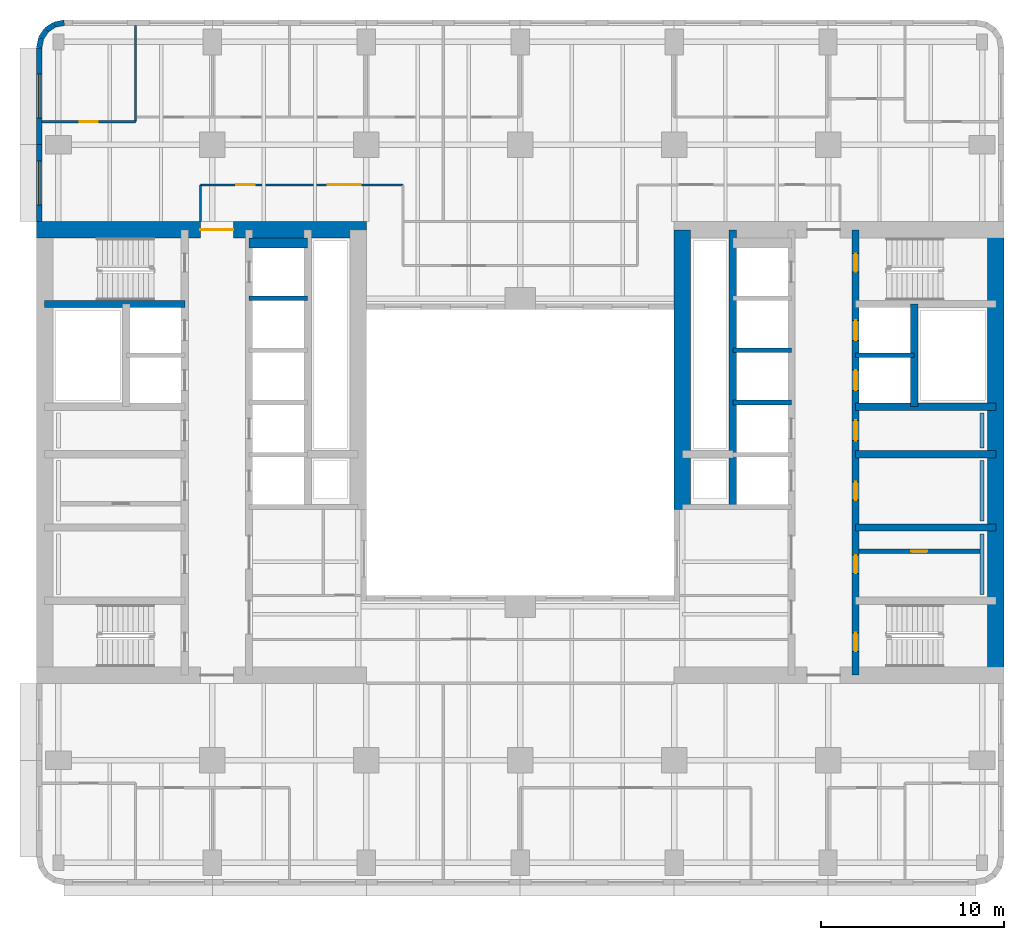
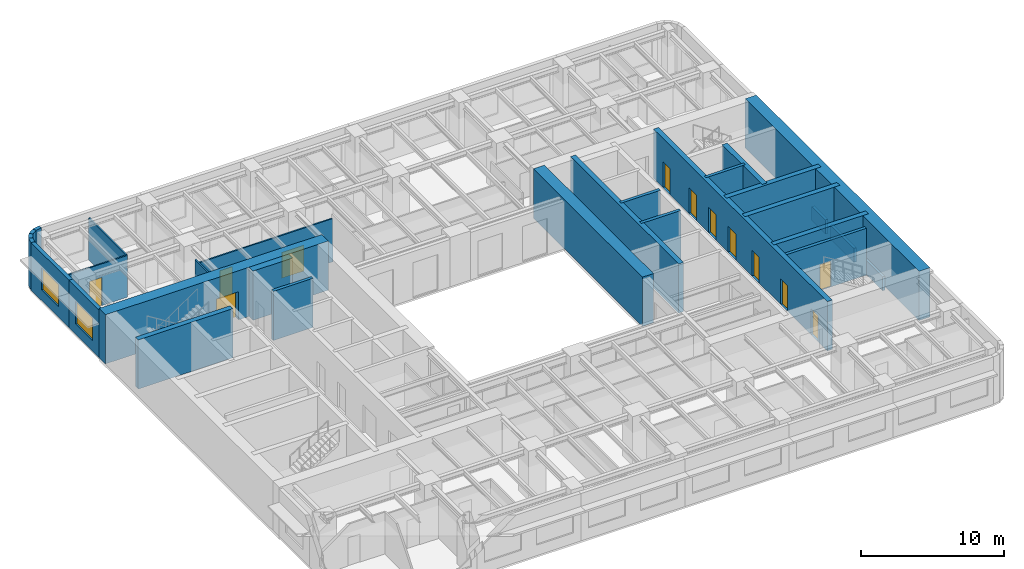
# One storey, part 6 of 11: 29 walls, 12 doors, 2 windows, 14 openings.
"""IFC4 building model written with IfcOpenShell, lengths in metres."""

from ifc_helpers import new_model, si_unit, direction, frame, frame_2d, origin, place, context, subcontext, project, spatial, rectangle, extrude, material, layer, layer_set, type_object, element, fill, save


model = new_model("IFC4")

# Units and contexts
model_context = context("Model", 3, precision=1e-05, world=origin(), true_north=direction((0.0, 1.0)))
body_context = subcontext(model_context, "Body", "Model", "MODEL_VIEW")
ifc_project = project(units=[si_unit("LENGTHUNIT", "METRE"), si_unit("AREAUNIT", "SQUARE_METRE"), si_unit("VOLUMEUNIT", "CUBIC_METRE"), si_unit("PLANEANGLEUNIT", "RADIAN"), si_unit("MASSUNIT", "GRAM", prefix="KILO")], contexts=[model_context])

# Site, building, storey
site_placement = place(None, origin())
site = spatial("IfcSite", under=ifc_project, at=site_placement, CompositionType="ELEMENT")
building_placement = place(site_placement, origin())
building = spatial("IfcBuilding", under=site, at=building_placement, Name="Claustro Exchange Tower", CompositionType="ELEMENT")
storey_placement = place(building_placement, frame((0.0, 0.0, 147.0)))
storey = spatial("IfcBuildingStorey", under=building, at=storey_placement, Name="L33", CompositionType="ELEMENT", Elevation=147.0)

# Wall, opening, door
ifc_material_1 = material(Name="Laminated glass in aluminium frame", Category="aluminium")
ifc_layer_1 = layer(ifc_material_1, 0.1201171875)
ifc_layer_set_1 = layer_set([ifc_layer_1], Name="Laminated glass in aluminium frame")
wall_type_1 = type_object("IfcWallType", Name="P2 120 glazed partition", PredefinedType="PARTITIONING", material=ifc_layer_set_1)
wall_1_placement = place(storey_placement, frame((-0.902099609375, 43.25, 0.0), z_axis=(0.0, 0.0, 1.0), x_axis=(1.0, 0.0, 0.0)))
wall_1 = element("IfcWall", 1, at=wall_1_placement, inside=storey, type_object=wall_type_1, Name="Partition P2 L33", PredefinedType="PARTITIONING", context=body_context, shape_type="SweptSolid", body=[
    extrude(rectangle(XDim=5.10205078125, YDim=0.1201171875, at=frame_2d((2.551025390625, 0.0))), origin(), (0.0, 0.0, 1.0), 3.56005859375),
])
opening_1_placement = place(wall_1_placement, frame((2.052001953125, 0.0, 0.0)))
opening_1 = element("IfcOpeningElement", 2, at=opening_1_placement, cuts=wall_1, Name="Opening D7", PredefinedType="OPENING", context=body_context, shape_type="SweptSolid", body=[
    extrude(rectangle(XDim=1.0, YDim=2.39990234375, at=frame_2d((0.5, 1.199951171875))), frame((0.0, 0.070068359375, 0.0), z_axis=(0.0, -1.0, 0.0), x_axis=(1.0, 0.0, 0.0)), (0.0, 0.0, 1.0), 0.14013671875),
])
ifc_material_2 = material(Name="Glass door in aluminium frame", Category="aluminium")
door_type_1 = type_object("IfcDoorType", Name="D7 1000 x 2400 glazed door", OperationType="SINGLE_SWING_LEFT", PredefinedType="DOOR", material=ifc_material_2)
door_1_placement = place(opening_1_placement, origin())
door_1 = element("IfcDoor", 3, at=door_1_placement, inside=storey, type_object=door_type_1, Name="Door D7 L33", OperationType="SINGLE_SWING_RIGHT", OverallHeight=2.39990234375, OverallWidth=1.0, PredefinedType="DOOR", context=body_context, shape_type="SweptSolid", body=[
    extrude(rectangle(XDim=1.0, YDim=2.39990234375, at=frame_2d((0.5, 1.199951171875))), frame((0.0, 0.02490234375, 0.0), z_axis=(0.0, -1.0, 0.0), x_axis=(1.0, 0.0, 0.0)), (0.0, 0.0, 1.0), 0.050048828125),
])
fill(opening_1, door_1)

# Wall
wall_2_placement = place(storey_placement, frame((4.199951171875, 43.25, 0.0), z_axis=(0.0, 0.0, 1.0), x_axis=(0.0, 1.0, 0.0)))
element("IfcWall", 4, at=wall_2_placement, inside=storey, type_object=wall_type_1, Name="Partition P2 L33", PredefinedType="PARTITIONING", context=body_context, shape_type="SweptSolid", body=[
    extrude(rectangle(XDim=5.251953125, YDim=0.1201171875, at=frame_2d((2.6259765625, 0.0))), origin(), (0.0, 0.0, 1.0), 3.56005859375),
])

# Wall, openings, doors
wall_3_placement = place(storey_placement, frame((7.75, 39.800048828125, 0.0), z_axis=(0.0, 0.0, 1.0), x_axis=(1.0, 0.0, 0.0)))
wall_3 = element("IfcWall", 5, at=wall_3_placement, inside=storey, type_object=wall_type_1, Name="Partition P2 L33", PredefinedType="PARTITIONING", context=body_context, shape_type="SweptSolid", body=[
    extrude(rectangle(XDim=11.050048828125, YDim=0.1201171875, at=frame_2d((5.52490234375, 0.0))), origin(), (0.0, 0.0, 1.0), 3.68994140625),
])
opening_2_placement = place(wall_3_placement, frame((1.949951171875, 0.0, 0.0)))
opening_2 = element("IfcOpeningElement", 6, at=opening_2_placement, cuts=wall_3, Name="Opening D7", PredefinedType="OPENING", context=body_context, shape_type="SweptSolid", body=[
    extrude(rectangle(XDim=1.0, YDim=2.39990234375, at=frame_2d((0.5, 1.199951171875))), frame((0.0, 0.070068359375, 0.0), z_axis=(0.0, -1.0, 0.0), x_axis=(1.0, 0.0, 0.0)), (0.0, 0.0, 1.0), 0.14013671875),
])
opening_3_placement = place(wall_3_placement, frame((6.949951171875, 0.0, 0.0)))
opening_3 = element("IfcOpeningElement", 7, at=opening_3_placement, cuts=wall_3, Name="Opening D2", PredefinedType="OPENING", context=body_context, shape_type="SweptSolid", body=[
    extrude(rectangle(XDim=1.800048828125, YDim=2.199951171875, at=frame_2d((0.89990234375, 1.10009765625))), frame((0.0, 0.070068359375, 0.0), z_axis=(0.0, -1.0, 0.0), x_axis=(1.0, 0.0, 0.0)), (0.0, 0.0, 1.0), 0.14013671875),
])
ifc_material_3 = material(Name="Timber door, oak veneer", Category="wood")
door_type_2 = type_object("IfcDoorType", Name="D2 1800 x 2200 double door", OperationType="DOUBLE_DOOR_SINGLE_SWING", PredefinedType="DOOR", material=ifc_material_3)
door_2_placement = place(opening_3_placement, origin())
door_2 = element("IfcDoor", 8, at=door_2_placement, inside=storey, type_object=door_type_2, Name="Double door D2 L33", OperationType="DOUBLE_DOOR_SINGLE_SWING", OverallHeight=2.199951171875, OverallWidth=1.800048828125, PredefinedType="DOOR", context=body_context, shape_type="SweptSolid", body=[
    extrude(rectangle(XDim=1.800048828125, YDim=2.199951171875, at=frame_2d((0.89990234375, 1.10009765625))), frame((0.0, 0.02490234375, 0.0), z_axis=(0.0, -1.0, 0.0), x_axis=(1.0, 0.0, 0.0)), (0.0, 0.0, 1.0), 0.050048828125),
])
fill(opening_3, door_2)
door_3_placement = place(opening_2_placement, origin())
door_3 = element("IfcDoor", 9, at=door_3_placement, inside=storey, type_object=door_type_1, Name="Door D7 L33", OperationType="SINGLE_SWING_LEFT", OverallHeight=2.39990234375, OverallWidth=1.0, PredefinedType="DOOR", context=body_context, shape_type="SweptSolid", body=[
    extrude(rectangle(XDim=1.0, YDim=2.39990234375, at=frame_2d((0.5, 1.199951171875))), frame((0.0, 0.02490234375, 0.0), z_axis=(0.0, -1.0, 0.0), x_axis=(1.0, 0.0, 0.0)), (0.0, 0.0, 1.0), 0.050048828125),
])
fill(opening_2, door_3)

# Wall
wall_4_placement = place(storey_placement, frame((7.75, 37.800048828125, 0.0), z_axis=(0.0, 0.0, 1.0), x_axis=(0.0, 1.0, 0.0)))
element("IfcWall", 10, at=wall_4_placement, inside=storey, type_object=wall_type_1, Name="Partition P2 L33", PredefinedType="PARTITIONING", context=body_context, shape_type="SweptSolid", body=[
    extrude(rectangle(XDim=2.0, YDim=0.1201171875, at=frame_2d((1.0, 0.0))), origin(), (0.0, 0.0, 1.0), 4.050048828125),
])

# Wall, opening, door
ifc_material_4 = material(Name="Concrete blockwork, rendered", Category="masonry")
ifc_layer_2 = layer(ifc_material_4, 0.25)
ifc_layer_set_2 = layer_set([ifc_layer_2], Name="Concrete blockwork, rendered")
wall_type_2 = type_object("IfcWallType", Name="P4 250 blockwork wall", PredefinedType="PARTITIONING", material=ifc_layer_set_2)
wall_5_placement = place(storey_placement, frame((43.699951171875, 19.800048828125, 0.0), z_axis=(0.0, 0.0, 1.0), x_axis=(1.0, 0.0, 0.0)))
wall_5 = element("IfcWall", 11, at=wall_5_placement, inside=storey, type_object=wall_type_2, Name="Partition P4 L33", PredefinedType="PARTITIONING", context=body_context, shape_type="SweptSolid", body=[
    extrude(rectangle(XDim=6.60009765625, YDim=0.25, at=frame_2d((3.300048828125, 0.0))), origin(), (0.0, 0.0, 1.0), 4.0),
])
opening_4_placement = place(wall_5_placement, frame((2.824951171875, 0.0, 0.0)))
opening_4 = element("IfcOpeningElement", 12, at=opening_4_placement, cuts=wall_5, Name="Opening D5", PredefinedType="OPENING", context=body_context, shape_type="SweptSolid", body=[
    extrude(rectangle(XDim=0.89990234375, YDim=2.199951171875, at=frame_2d((0.449951171875, 1.10009765625))), frame((0.0, 0.135009765625, 0.0), z_axis=(0.0, -1.0, 0.0), x_axis=(1.0, 0.0, 0.0)), (0.0, 0.0, 1.0), 0.27001953125),
])
ifc_material_5 = material(Name="Steel door, painted", Category="steel")
door_type_3 = type_object("IfcDoorType", Name="D5 900 x 2200 store door", OperationType="SINGLE_SWING_LEFT", PredefinedType="DOOR", material=ifc_material_5)
door_4_placement = place(opening_4_placement, origin())
door_4 = element("IfcDoor", 13, at=door_4_placement, inside=storey, type_object=door_type_3, Name="Store door D5 L33", OperationType="SINGLE_SWING_RIGHT", OverallHeight=2.199951171875, OverallWidth=0.89990234375, PredefinedType="DOOR", context=body_context, shape_type="SweptSolid", body=[
    extrude(rectangle(XDim=0.89990234375, YDim=2.199951171875, at=frame_2d((0.449951171875, 1.10009765625))), frame((0.0, 0.02490234375, 0.0), z_axis=(0.0, -1.0, 0.0), x_axis=(1.0, 0.0, 0.0)), (0.0, 0.0, 1.0), 0.050048828125),
])
fill(opening_4, door_4)

# Wall, opening, window
ifc_material_6 = material(Name="Concrete HA-40 (C40/50), precast, white cement, acid-etched", Category="concrete")
ifc_layer_3 = layer(ifc_material_6, 0.300048828125)
ifc_layer_set_3 = layer_set([ifc_layer_3], Name="Concrete HA-40 (C40/50), precast, white cement, acid-etched")
wall_type_3 = type_object("IfcWallType", Name="PC1 300 precast concrete pier panel", PredefinedType="SOLIDWALL", material=ifc_layer_set_3)
wall_6_placement = place(storey_placement, frame((-1.050048828125, 37.800048828125, 0.0), z_axis=(0.0, 0.0, 1.0), x_axis=(0.0, 1.0, 0.0)))
wall_6 = element("IfcWall", 14, at=wall_6_placement, inside=storey, type_object=wall_type_3, Name="Precast pier panel PC1 L33", PredefinedType="SOLIDWALL", context=body_context, shape_type="SweptSolid", body=[
    extrude(rectangle(XDim=4.199951171875, YDim=0.300048828125, at=frame_2d((2.10009765625, 0.0))), origin(), (0.0, 0.0, 1.0), 4.050048828125),
])
opening_5_placement = place(wall_6_placement, frame((0.89990234375, 0.0, 0.89990234375)))
opening_5 = element("IfcOpeningElement", 15, at=opening_5_placement, cuts=wall_6, Name="Opening W2", PredefinedType="OPENING", context=body_context, shape_type="SweptSolid", body=[
    extrude(rectangle(XDim=2.39990234375, YDim=1.89990234375, at=frame_2d((1.199951171875, 0.949951171875))), frame((0.0, 0.159912109375, 0.0), z_axis=(0.0, -1.0, 0.0), x_axis=(1.0, 0.0, 0.0)), (0.0, 0.0, 1.0), 0.320068359375),
])
ifc_material_7 = material(Name="Aluminium frame, clear double glazing", Category="aluminium")
window_type = type_object("IfcWindowType", Name="W2 2400 x 1900 window", PartitioningType="SINGLE_PANEL", PredefinedType="WINDOW", material=ifc_material_7)
window_1_placement = place(opening_5_placement, origin())
window_1 = element("IfcWindow", 16, at=window_1_placement, inside=storey, type_object=window_type, Name="Window W2 L33", OverallHeight=1.89990234375, OverallWidth=2.39990234375, PartitioningType="SINGLE_PANEL", PredefinedType="WINDOW", context=body_context, shape_type="SweptSolid", body=[
    extrude(rectangle(XDim=2.39990234375, YDim=1.89990234375, at=frame_2d((1.199951171875, 0.949951171875))), frame((0.0, 0.030029296875, 0.0), z_axis=(0.0, -1.0, 0.0), x_axis=(1.0, 0.0, 0.0)), (0.0, 0.0, 1.0), 0.06005859375),
])
fill(opening_5, window_1)

wall_7_placement = place(storey_placement, frame((-1.050048828125, 42.0, 0.0), z_axis=(0.0, 0.0, 1.0), x_axis=(0.0, 1.0, 0.0)))
wall_7 = element("IfcWall", 17, at=wall_7_placement, inside=storey, type_object=wall_type_3, Name="Precast pier panel PC1 L33", PredefinedType="SOLIDWALL", context=body_context, shape_type="SweptSolid", body=[
    extrude(rectangle(XDim=5.28515625, YDim=0.300048828125, at=frame_2d((2.642578125, 0.0))), origin(), (0.0, 0.0, 1.0), 4.050048828125),
])
opening_6_placement = place(wall_7_placement, frame((1.442626953125, 0.0, 0.89990234375)))
opening_6 = element("IfcOpeningElement", 18, at=opening_6_placement, cuts=wall_7, Name="Opening W2", PredefinedType="OPENING", context=body_context, shape_type="SweptSolid", body=[
    extrude(rectangle(XDim=2.39990234375, YDim=1.89990234375, at=frame_2d((1.199951171875, 0.949951171875))), frame((0.0, 0.159912109375, 0.0), z_axis=(0.0, -1.0, 0.0), x_axis=(1.0, 0.0, 0.0)), (0.0, 0.0, 1.0), 0.320068359375),
])
window_2_placement = place(opening_6_placement, origin())
window_2 = element("IfcWindow", 19, at=window_2_placement, inside=storey, type_object=window_type, Name="Window W2 L33", OverallHeight=1.89990234375, OverallWidth=2.39990234375, PartitioningType="SINGLE_PANEL", PredefinedType="WINDOW", context=body_context, shape_type="SweptSolid", body=[
    extrude(rectangle(XDim=2.39990234375, YDim=1.89990234375, at=frame_2d((1.199951171875, 0.949951171875))), frame((0.0, 0.030029296875, 0.0), z_axis=(0.0, -1.0, 0.0), x_axis=(1.0, 0.0, 0.0)), (0.0, 0.0, 1.0), 0.06005859375),
])
fill(opening_6, window_2)

# Walls
wall_8_placement = place(storey_placement, frame((-1.050048828125, 47.28515625, 0.0), z_axis=(0.0, 0.0, 1.0), x_axis=(0.195073962632, 0.980788534345, 0.0)))
element("IfcWall", 20, at=wall_8_placement, inside=storey, type_object=wall_type_3, Name="Precast pier panel PC1 L33", PredefinedType="SOLIDWALL", context=body_context, shape_type="SweptSolid", body=[
    extrude(rectangle(XDim=0.540771484375, YDim=0.300048828125, at=frame_2d((0.2705078125, 0.0))), origin(), (0.0, 0.0, 1.0), 4.050048828125),
])
wall_9_placement = place(storey_placement, frame((-0.944580078125, 47.8154296875, 0.0), z_axis=(0.0, 0.0, 1.0), x_axis=(0.55534295404, 0.831621430339, 0.0)))
element("IfcWall", 21, at=wall_9_placement, inside=storey, type_object=wall_type_3, Name="Precast pier panel PC1 L33", PredefinedType="SOLIDWALL", context=body_context, shape_type="SweptSolid", body=[
    extrude(rectangle(XDim=0.52587890625, YDim=0.300048828125, at=frame_2d((0.262939453125, 0.0))), origin(), (0.0, 0.0, 1.0), 4.050048828125),
])
wall_10_placement = place(storey_placement, frame((-0.652587890625, 48.252685546875, 0.0), z_axis=(0.0, 0.0, 1.0), x_axis=(0.831692711774, 0.555236195849, 0.0)))
element("IfcWall", 22, at=wall_10_placement, inside=storey, type_object=wall_type_3, Name="Precast pier panel PC1 L33", PredefinedType="SOLIDWALL", context=body_context, shape_type="SweptSolid", body=[
    extrude(rectangle(XDim=0.525390625, YDim=0.300048828125, at=frame_2d((0.2626953125, 0.0))), origin(), (0.0, 0.0, 1.0), 4.050048828125),
])
wall_11_placement = place(storey_placement, frame((-0.215576171875, 48.54443359375, 0.0), z_axis=(0.0, 0.0, 1.0), x_axis=(0.980788534345, 0.195073962632, 0.0)))
element("IfcWall", 23, at=wall_11_placement, inside=storey, type_object=wall_type_3, Name="Precast pier panel PC1 L33", PredefinedType="SOLIDWALL", context=body_context, shape_type="SweptSolid", body=[
    extrude(rectangle(XDim=0.540771484375, YDim=0.300048828125, at=frame_2d((0.2705078125, 0.0))), origin(), (0.0, 0.0, 1.0), 4.050048828125),
])
ifc_material_8 = material(Name="Gypsum board on steel studs, tiled", Category="steel")
ifc_layer_4 = layer(ifc_material_8, 0.199951171875)
ifc_layer_set_4 = layer_set([ifc_layer_4], Name="Gypsum board on steel studs, tiled")
wall_type_4 = type_object("IfcWallType", Name="PW1 200 WC duct wall", PredefinedType="PLUMBINGWALL", material=ifc_layer_set_4)
for number, where, z_axis, x_axis, name in (
    (24, (50.39990234375, 17.449951171875, 0.0), (0.0, 0.0, 1.0), (0.0, 1.0, 0.0), "WC duct wall PW1 L33"),
    (25, (50.39990234375, 21.449951171875, 0.0), (0.0, 0.0, 1.0), (0.0, 1.0, 0.0), "WC duct wall PW1 L33"),
):
    element("IfcWall", number, at=place(storey_placement, frame(where, z_axis=z_axis, x_axis=x_axis)), inside=storey, type_object=wall_type_4, Name=name, PredefinedType="PLUMBINGWALL", context=body_context, shape_type="SweptSolid", body=[
        extrude(rectangle(XDim=3.300048828125, YDim=0.199951171875, at=frame_2d((1.64990234375, 0.0))), origin(), (0.0, 0.0, 1.0), 1.199951171875),
    ])
wall_12_placement = place(storey_placement, frame((50.39990234375, 25.449951171875, 0.0), z_axis=(0.0, 0.0, 1.0), x_axis=(0.0, 1.0, 0.0)))
element("IfcWall", 26, at=wall_12_placement, inside=storey, type_object=wall_type_4, Name="WC duct wall PW1 L33", PredefinedType="PLUMBINGWALL", context=body_context, shape_type="SweptSolid", body=[
    extrude(rectangle(XDim=1.900146484375, YDim=0.199951171875, at=frame_2d((0.9501953125, 0.0))), origin(), (0.0, 0.0, 1.0), 1.199951171875),
])

# Wall, opening, door
ifc_material_9 = material(Name="Concrete HA-70 (C70/85)", Category="concrete")
ifc_layer_5 = layer(ifc_material_9, 0.89990234375)
ifc_layer_set_5 = layer_set([ifc_layer_5], Name="Concrete HA-70 (C70/85)")
wall_type_5 = type_object("IfcWallType", Name="SW1 900 core shear wall", PredefinedType="SHEAR", material=ifc_layer_set_5)
wall_13_placement = place(storey_placement, frame((-1.199951171875, 37.35009765625, 0.0), z_axis=(0.0, 0.0, 1.0), x_axis=(1.0, 0.0, 0.0)))
wall_13 = element("IfcWall", 27, at=wall_13_placement, inside=storey, type_object=wall_type_5, Name="Core wall SW1 W core N face L33", PredefinedType="SHEAR", context=body_context, shape_type="SweptSolid", body=[
    extrude(rectangle(XDim=18.0, YDim=0.89990234375, at=frame_2d((9.0, 0.0))), origin(), (0.0, 0.0, 1.0), 4.199951171875),
])
opening_7_placement = place(wall_13_placement, frame((8.949951171875, 0.0, 0.0)))
opening_7 = element("IfcOpeningElement", 28, at=opening_7_placement, cuts=wall_13, Name="Opening D3", PredefinedType="OPENING", context=body_context, shape_type="SweptSolid", body=[
    extrude(rectangle(XDim=1.800048828125, YDim=2.39990234375, at=frame_2d((0.89990234375, 1.199951171875))), frame((0.0, 0.4599609375, 0.0), z_axis=(0.0, -1.0, 0.0), x_axis=(1.0, 0.0, 0.0)), (0.0, 0.0, 1.0), 0.919921875),
])
ifc_material_10 = material(Name="Steel fire door, painted", Category="steel")
door_type_4 = type_object("IfcDoorType", Name="D3 1800 x 2400 fire-rated lobby double door", OperationType="DOUBLE_DOOR_SINGLE_SWING", PredefinedType="DOOR", material=ifc_material_10)
door_5_placement = place(opening_7_placement, frame((1.800048828125, 0.0, 0.0), z_axis=(0.0, 0.0, 1.0), x_axis=(-1.0, 0.0, 0.0)))
door_5 = element("IfcDoor", 29, at=door_5_placement, inside=storey, type_object=door_type_4, Name="Lift lobby door D3 L33", OperationType="DOUBLE_DOOR_SINGLE_SWING", OverallHeight=2.39990234375, OverallWidth=1.800048828125, PredefinedType="DOOR", context=body_context, shape_type="SweptSolid", body=[
    extrude(rectangle(XDim=1.800048828125, YDim=2.39990234375, at=frame_2d((0.89990234375, 1.199951171875))), frame((0.0, 0.02490234375, 0.0), z_axis=(0.0, -1.0, 0.0), x_axis=(1.0, 0.0, 0.0)), (0.0, 0.0, 1.0), 0.050048828125),
])
fill(opening_7, door_5)

# Walls
ifc_material_11 = material(Name="Concrete HA-70 (C70/85)", Category="concrete")
ifc_layer_6 = layer(ifc_material_11, 0.89990234375)
ifc_layer_set_6 = layer_set([ifc_layer_6], Name="Concrete HA-70 (C70/85)")
wall_type_6 = type_object("IfcWallType", Name="SW1X 900 exposed core shear wall, board-marked face", PredefinedType="SHEAR", material=ifc_layer_set_6)
wall_14_placement = place(storey_placement, frame((34.050048828125, 22.10009765625, 0.0), z_axis=(0.0, 0.0, 1.0), x_axis=(0.0, 1.0, 0.0)))
element("IfcWall", 30, at=wall_14_placement, inside=storey, type_object=wall_type_6, Name="Core wall SW1X E core W face L33", PredefinedType="SHEAR", context=body_context, shape_type="SweptSolid", body=[
    extrude(rectangle(XDim=15.25, YDim=0.89990234375, at=frame_2d((7.625, 0.0))), origin(), (0.0, 0.0, 1.0), 4.199951171875),
])
wall_15_placement = place(storey_placement, frame((51.14990234375, 13.050048828125, 0.0), z_axis=(0.0, 0.0, 1.0), x_axis=(0.0, 1.0, 0.0)))
element("IfcWall", 31, at=wall_15_placement, inside=storey, type_object=wall_type_6, Name="Core wall SW1X E core E face L33", PredefinedType="SHEAR", context=body_context, shape_type="SweptSolid", body=[
    extrude(rectangle(XDim=24.300048828125, YDim=0.89990234375, at=frame_2d((12.14990234375, 0.0))), origin(), (0.0, 0.0, 1.0), 4.199951171875),
])
ifc_material_12 = material(Name="Concrete HA-50 (C50/60)", Category="concrete")
ifc_layer_7 = layer(ifc_material_12, 0.39990234375)
ifc_layer_set_7 = layer_set([ifc_layer_7], Name="Concrete HA-50 (C50/60)")
wall_type_7 = type_object("IfcWallType", Name="SW4 400 internal core wall", PredefinedType="SHEAR", material=ifc_layer_set_7)
wall_16_placement = place(storey_placement, frame((-0.75, 33.300048828125, 0.0), z_axis=(0.0, 0.0, 1.0), x_axis=(1.0, 0.0, 0.0)))
element("IfcWall", 32, at=wall_16_placement, inside=storey, type_object=wall_type_7, Name="Internal core wall SW4 W core L33", PredefinedType="SHEAR", context=body_context, shape_type="SweptSolid", body=[
    extrude(rectangle(XDim=7.64990234375, YDim=0.39990234375, at=frame_2d((3.824951171875, 0.0))), origin(), (0.0, 0.0, 1.0), 4.199951171875),
])

# Wall, openings, doors
wall_17_placement = place(storey_placement, frame((43.5, 13.050048828125, 0.0), z_axis=(0.0, 0.0, 1.0), x_axis=(0.0, 1.0, 0.0)))
wall_17 = element("IfcWall", 33, at=wall_17_placement, inside=storey, type_object=wall_type_7, Name="Internal core wall SW4 E core L33", PredefinedType="SHEAR", context=body_context, shape_type="SweptSolid", body=[
    extrude(rectangle(XDim=24.300048828125, YDim=0.39990234375, at=frame_2d((12.14990234375, 0.0))), origin(), (0.0, 0.0, 1.0), 4.199951171875),
])
opening_8_placement = place(wall_17_placement, frame((1.300048828125, 0.0, 0.0)))
opening_8 = element("IfcOpeningElement", 34, at=opening_8_placement, cuts=wall_17, Name="Opening D4", PredefinedType="OPENING", context=body_context, shape_type="SweptSolid", body=[
    extrude(rectangle(XDim=1.0, YDim=2.199951171875, at=frame_2d((0.5, 1.10009765625))), frame((0.0, 0.2099609375, 0.0), z_axis=(0.0, -1.0, 0.0), x_axis=(1.0, 0.0, 0.0)), (0.0, 0.0, 1.0), 0.419921875),
])
opening_9_placement = place(wall_17_placement, frame((22.0, 0.0, 0.0)))
opening_9 = element("IfcOpeningElement", 35, at=opening_9_placement, cuts=wall_17, Name="Opening D4", PredefinedType="OPENING", context=body_context, shape_type="SweptSolid", body=[
    extrude(rectangle(XDim=1.0, YDim=2.199951171875, at=frame_2d((0.5, 1.10009765625))), frame((0.0, 0.2099609375, 0.0), z_axis=(0.0, -1.0, 0.0), x_axis=(1.0, 0.0, 0.0)), (0.0, 0.0, 1.0), 0.419921875),
])
opening_10_placement = place(wall_17_placement, frame((5.550048828125, 0.0, 0.0)))
opening_10 = element("IfcOpeningElement", 36, at=opening_10_placement, cuts=wall_17, Name="Opening D1", PredefinedType="OPENING", context=body_context, shape_type="SweptSolid", body=[
    extrude(rectangle(XDim=1.0, YDim=2.199951171875, at=frame_2d((0.5, 1.10009765625))), frame((0.0, 0.2099609375, 0.0), z_axis=(0.0, -1.0, 0.0), x_axis=(1.0, 0.0, 0.0)), (0.0, 0.0, 1.0), 0.419921875),
])
opening_11_placement = place(wall_17_placement, frame((9.550048828125, 0.0, 0.0)))
opening_11 = element("IfcOpeningElement", 37, at=opening_11_placement, cuts=wall_17, Name="Opening D1", PredefinedType="OPENING", context=body_context, shape_type="SweptSolid", body=[
    extrude(rectangle(XDim=1.0, YDim=2.199951171875, at=frame_2d((0.5, 1.10009765625))), frame((0.0, 0.2099609375, 0.0), z_axis=(0.0, -1.0, 0.0), x_axis=(1.0, 0.0, 0.0)), (0.0, 0.0, 1.0), 0.419921875),
])
opening_12_placement = place(wall_17_placement, frame((12.800048828125, 0.0, 0.0)))
opening_12 = element("IfcOpeningElement", 38, at=opening_12_placement, cuts=wall_17, Name="Opening D10", PredefinedType="OPENING", context=body_context, shape_type="SweptSolid", body=[
    extrude(rectangle(XDim=1.10009765625, YDim=2.199951171875, at=frame_2d((0.550048828125, 1.10009765625))), frame((0.0, 0.2099609375, 0.0), z_axis=(0.0, -1.0, 0.0), x_axis=(1.0, 0.0, 0.0)), (0.0, 0.0, 1.0), 0.419921875),
])
opening_13_placement = place(wall_17_placement, frame((15.53759765625, 0.0, 0.0)))
opening_13 = element("IfcOpeningElement", 39, at=opening_13_placement, cuts=wall_17, Name="Opening LD", PredefinedType="OPENING", context=body_context, shape_type="SweptSolid", body=[
    extrude(rectangle(XDim=1.10009765625, YDim=2.199951171875, at=frame_2d((0.550048828125, 1.10009765625))), frame((0.0, 0.2099609375, 0.0), z_axis=(0.0, -1.0, 0.0), x_axis=(1.0, 0.0, 0.0)), (0.0, 0.0, 1.0), 0.419921875),
])
opening_14_placement = place(wall_17_placement, frame((18.262451171875, 0.0, 0.0)))
opening_14 = element("IfcOpeningElement", 40, at=opening_14_placement, cuts=wall_17, Name="Opening LD", PredefinedType="OPENING", context=body_context, shape_type="SweptSolid", body=[
    extrude(rectangle(XDim=1.10009765625, YDim=2.199951171875, at=frame_2d((0.550048828125, 1.10009765625))), frame((0.0, 0.2099609375, 0.0), z_axis=(0.0, -1.0, 0.0), x_axis=(1.0, 0.0, 0.0)), (0.0, 0.0, 1.0), 0.419921875),
])
ifc_material_13 = material(Name="Timber door, oak veneer", Category="wood")
door_type_5 = type_object("IfcDoorType", Name="D1 1000 x 2200 single door", OperationType="SINGLE_SWING_LEFT", PredefinedType="DOOR", material=ifc_material_13)
door_6_placement = place(opening_10_placement, frame((1.0, 0.0, 0.0), z_axis=(0.0, 0.0, 1.0), x_axis=(-1.0, 0.0, 0.0)))
door_6 = element("IfcDoor", 41, at=door_6_placement, inside=storey, type_object=door_type_5, Name="Door D1 L33", OperationType="SINGLE_SWING_LEFT", OverallHeight=2.199951171875, OverallWidth=1.0, PredefinedType="DOOR", context=body_context, shape_type="SweptSolid", body=[
    extrude(rectangle(XDim=1.0, YDim=2.199951171875, at=frame_2d((0.5, 1.10009765625))), frame((0.0, 0.02490234375, 0.0), z_axis=(0.0, -1.0, 0.0), x_axis=(1.0, 0.0, 0.0)), (0.0, 0.0, 1.0), 0.050048828125),
])
fill(opening_10, door_6)
door_7_placement = place(opening_11_placement, frame((1.0, 0.0, 0.0), z_axis=(0.0, 0.0, 1.0), x_axis=(-1.0, 0.0, 0.0)))
door_7 = element("IfcDoor", 42, at=door_7_placement, inside=storey, type_object=door_type_5, Name="Door D1 L33", OperationType="SINGLE_SWING_LEFT", OverallHeight=2.199951171875, OverallWidth=1.0, PredefinedType="DOOR", context=body_context, shape_type="SweptSolid", body=[
    extrude(rectangle(XDim=1.0, YDim=2.199951171875, at=frame_2d((0.5, 1.10009765625))), frame((0.0, 0.02490234375, 0.0), z_axis=(0.0, -1.0, 0.0), x_axis=(1.0, 0.0, 0.0)), (0.0, 0.0, 1.0), 0.050048828125),
])
fill(opening_11, door_7)
ifc_material_14 = material(Name="Timber door, oak veneer", Category="wood")
door_type_6 = type_object("IfcDoorType", Name="D10 1100 x 2200 accessible WC door", OperationType="SINGLE_SWING_LEFT", PredefinedType="DOOR", material=ifc_material_14)
door_8_placement = place(opening_12_placement, origin())
door_8 = element("IfcDoor", 43, at=door_8_placement, inside=storey, type_object=door_type_6, Name="Accessible WC door D10 L33", OperationType="SINGLE_SWING_RIGHT", OverallHeight=2.199951171875, OverallWidth=1.10009765625, PredefinedType="DOOR", context=body_context, shape_type="SweptSolid", body=[
    extrude(rectangle(XDim=1.10009765625, YDim=2.199951171875, at=frame_2d((0.550048828125, 1.10009765625))), frame((0.0, 0.02490234375, 0.0), z_axis=(0.0, -1.0, 0.0), x_axis=(1.0, 0.0, 0.0)), (0.0, 0.0, 1.0), 0.050048828125),
])
fill(opening_12, door_8)
ifc_material_15 = material(Name="Steel fire door, painted", Category="steel")
door_type_7 = type_object("IfcDoorType", Name="D4 1000 x 2200 fire-rated stair door", OperationType="SINGLE_SWING_LEFT", PredefinedType="DOOR", material=ifc_material_15)
door_9_placement = place(opening_8_placement, frame((1.0, 0.0, 0.0), z_axis=(0.0, 0.0, 1.0), x_axis=(-1.0, 0.0, 0.0)))
door_9 = element("IfcDoor", 44, at=door_9_placement, inside=storey, type_object=door_type_7, Name="Stair door D4 L33", OperationType="SINGLE_SWING_RIGHT", OverallHeight=2.199951171875, OverallWidth=1.0, PredefinedType="DOOR", context=body_context, shape_type="SweptSolid", body=[
    extrude(rectangle(XDim=1.0, YDim=2.199951171875, at=frame_2d((0.5, 1.10009765625))), frame((0.0, 0.02490234375, 0.0), z_axis=(0.0, -1.0, 0.0), x_axis=(1.0, 0.0, 0.0)), (0.0, 0.0, 1.0), 0.050048828125),
])
fill(opening_8, door_9)
door_10_placement = place(opening_9_placement, frame((1.0, 0.0, 0.0), z_axis=(0.0, 0.0, 1.0), x_axis=(-1.0, 0.0, 0.0)))
door_10 = element("IfcDoor", 45, at=door_10_placement, inside=storey, type_object=door_type_7, Name="Stair door D4 L33", OperationType="SINGLE_SWING_LEFT", OverallHeight=2.199951171875, OverallWidth=1.0, PredefinedType="DOOR", context=body_context, shape_type="SweptSolid", body=[
    extrude(rectangle(XDim=1.0, YDim=2.199951171875, at=frame_2d((0.5, 1.10009765625))), frame((0.0, 0.02490234375, 0.0), z_axis=(0.0, -1.0, 0.0), x_axis=(1.0, 0.0, 0.0)), (0.0, 0.0, 1.0), 0.050048828125),
])
fill(opening_9, door_10)
ifc_material_16 = material(Name="Stainless steel sliding door", Category="steel")
door_type_8 = type_object("IfcDoorType", Name="LD 1100 x 2200 lift landing door", OperationType="DOUBLE_DOOR_SLIDING", PredefinedType="DOOR", material=ifc_material_16)
door_11_placement = place(opening_13_placement, origin())
door_11 = element("IfcDoor", 46, at=door_11_placement, inside=storey, type_object=door_type_8, Name="Lift landing door LEE1 LD L33", OperationType="DOUBLE_DOOR_SLIDING", OverallHeight=2.199951171875, OverallWidth=1.10009765625, PredefinedType="DOOR", context=body_context, shape_type="SweptSolid", body=[
    extrude(rectangle(XDim=1.10009765625, YDim=2.199951171875, at=frame_2d((0.550048828125, 1.10009765625))), frame((0.0, 0.02490234375, 0.0), z_axis=(0.0, -1.0, 0.0), x_axis=(1.0, 0.0, 0.0)), (0.0, 0.0, 1.0), 0.050048828125),
])
fill(opening_13, door_11)
door_12_placement = place(opening_14_placement, origin())
door_12 = element("IfcDoor", 47, at=door_12_placement, inside=storey, type_object=door_type_8, Name="Lift landing door LEE2 LD L33", OperationType="DOUBLE_DOOR_SLIDING", OverallHeight=2.199951171875, OverallWidth=1.10009765625, PredefinedType="DOOR", context=body_context, shape_type="SweptSolid", body=[
    extrude(rectangle(XDim=1.10009765625, YDim=2.199951171875, at=frame_2d((0.550048828125, 1.10009765625))), frame((0.0, 0.02490234375, 0.0), z_axis=(0.0, -1.0, 0.0), x_axis=(1.0, 0.0, 0.0)), (0.0, 0.0, 1.0), 0.050048828125),
])
fill(opening_14, door_12)

# Walls
wall_18_placement = place(storey_placement, frame((36.800048828125, 22.22509765625, 0.0), z_axis=(0.0, 0.0, 1.0), x_axis=(0.0, 1.0, 0.0)))
element("IfcWall", 48, at=wall_18_placement, inside=storey, type_object=wall_type_7, Name="Internal core wall SW4 E core L33", PredefinedType="SHEAR", context=body_context, shape_type="SweptSolid", body=[
    extrude(rectangle(XDim=15.125, YDim=0.39990234375, at=frame_2d((7.5625, 0.0))), origin(), (0.0, 0.0, 1.0), 4.199951171875),
])
for number, where, z_axis, x_axis, name in (
    (49, (51.14990234375, 21.10009765625, 0.0), (0.0, 0.0, 1.0), (-1.0, 0.0, 0.0), "Internal core wall SW4 E core L33"),
    (50, (51.14990234375, 25.10009765625, 0.0), (0.0, 0.0, 1.0), (-1.0, 0.0, 0.0), "Internal core wall SW4 E core L33"),
    (51, (51.14990234375, 27.699951171875, 0.0), (0.0, 0.0, 1.0), (-1.0, 0.0, 0.0), "Internal core wall SW4 E core L33"),
):
    element("IfcWall", number, at=place(storey_placement, frame(where, z_axis=z_axis, x_axis=x_axis)), inside=storey, type_object=wall_type_7, Name=name, PredefinedType="SHEAR", context=body_context, shape_type="SweptSolid", body=[
        extrude(rectangle(XDim=7.64990234375, YDim=0.39990234375, at=frame_2d((3.824951171875, 0.0))), origin(), (0.0, 0.0, 1.0), 4.199951171875),
    ])
wall_19_placement = place(storey_placement, frame((46.699951171875, 27.699951171875, 0.0), z_axis=(0.0, 0.0, 1.0), x_axis=(0.0, 1.0, 0.0)))
element("IfcWall", 52, at=wall_19_placement, inside=storey, type_object=wall_type_7, Name="Internal core wall SW4 E core L33", PredefinedType="SHEAR", context=body_context, shape_type="SweptSolid", body=[
    extrude(rectangle(XDim=5.60009765625, YDim=0.39990234375, at=frame_2d((2.800048828125, 0.0))), origin(), (0.0, 0.0, 1.0), 4.199951171875),
])
ifc_material_17 = material(Name="Concrete HA-50 (C50/60)", Category="concrete")
ifc_layer_8 = layer(ifc_material_17, 0.25)
ifc_layer_set_8 = layer_set([ifc_layer_8], Name="Concrete HA-50 (C50/60)")
wall_type_8 = type_object("IfcWallType", Name="SW5 250 lift shaft divider wall", PredefinedType="SHEAR", material=ifc_layer_set_8)
wall_20_placement = place(storey_placement, frame((10.39990234375, 33.625, 0.0), z_axis=(0.0, 0.0, 1.0), x_axis=(1.0, 0.0, 0.0)))
element("IfcWall", 53, at=wall_20_placement, inside=storey, type_object=wall_type_8, Name="Lift shaft wall W core L33", PredefinedType="SHEAR", context=body_context, shape_type="SweptSolid", body=[
    extrude(rectangle(XDim=3.2001953125, YDim=0.25, at=frame_2d((1.60009765625, 0.0))), origin(), (0.0, 0.0, 1.0), 4.199951171875),
])
for number, where, z_axis, x_axis, name in (
    (54, (46.699951171875, 30.5, 0.0), (0.0, 0.0, 1.0), (-1.0, 0.0, 0.0), "Lift shaft wall E core L33"),
    (55, (40.0, 27.925048828125, 0.0), (0.0, 0.0, 1.0), (-1.0, 0.0, 0.0), "Lift shaft wall E core L33"),
    (56, (40.0, 30.77490234375, 0.0), (0.0, 0.0, 1.0), (-1.0, 0.0, 0.0), "Lift shaft wall E core L33"),
):
    element("IfcWall", number, at=place(storey_placement, frame(where, z_axis=z_axis, x_axis=x_axis)), inside=storey, type_object=wall_type_8, Name=name, PredefinedType="SHEAR", context=body_context, shape_type="SweptSolid", body=[
        extrude(rectangle(XDim=3.199951171875, YDim=0.25, at=frame_2d((1.60009765625, 0.0))), origin(), (0.0, 0.0, 1.0), 4.199951171875),
    ])
ifc_material_18 = material(Name="Concrete HA-50 (C50/60)", Category="concrete")
ifc_layer_9 = layer(ifc_material_18, 0.550048828125)
ifc_layer_set_9 = layer_set([ifc_layer_9], Name="Concrete HA-50 (C50/60)")
wall_type_9 = type_object("IfcWallType", Name="SW6 550 lift shaft end wall", PredefinedType="SHEAR", material=ifc_layer_set_9)
wall_21_placement = place(storey_placement, frame((10.39990234375, 36.625, 0.0), z_axis=(0.0, 0.0, 1.0), x_axis=(1.0, 0.0, 0.0)))
element("IfcWall", 57, at=wall_21_placement, inside=storey, type_object=wall_type_9, Name="Lift shaft wall W core L33", PredefinedType="SHEAR", context=body_context, shape_type="SweptSolid", body=[
    extrude(rectangle(XDim=3.2001953125, YDim=0.550048828125, at=frame_2d((1.60009765625, 0.0))), origin(), (0.0, 0.0, 1.0), 4.199951171875),
])

save(model, "model.ifc")
